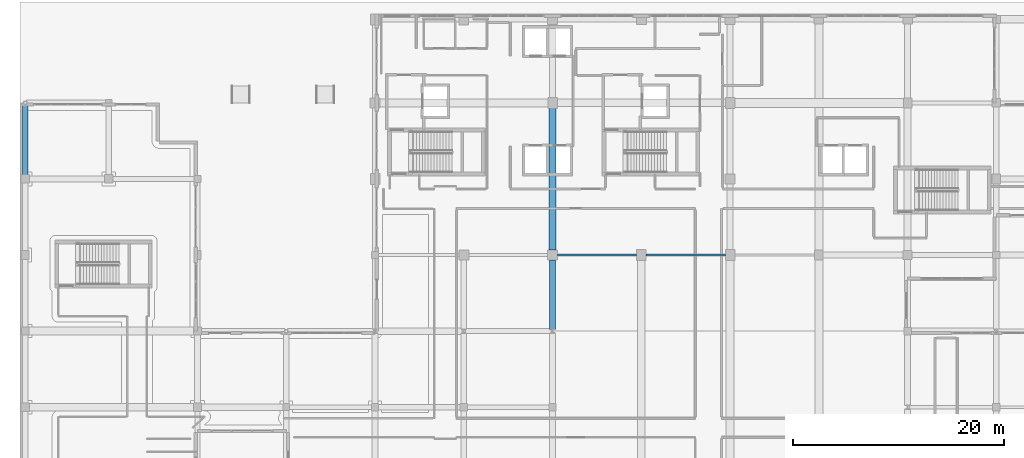
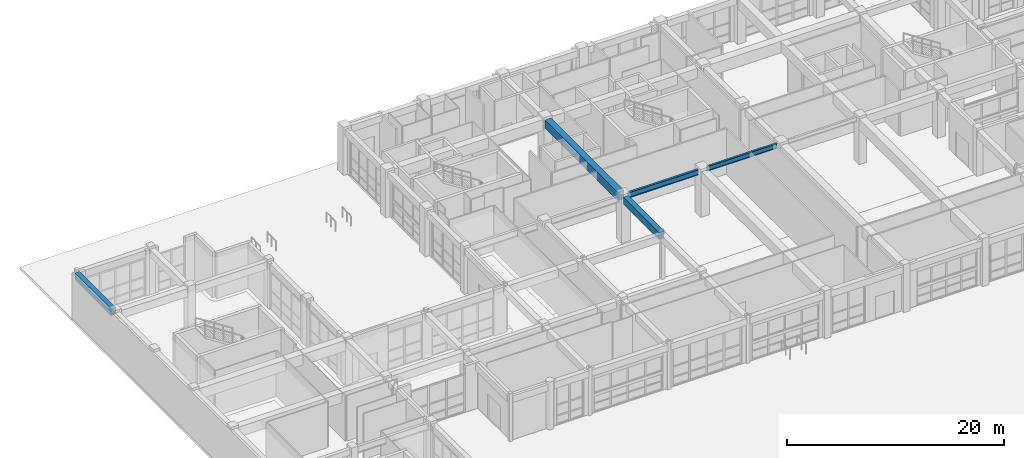
# One storey, part 54 of 148: 5 beams.
"""IFC4 building model written with IfcOpenShell, lengths in metres."""

from ifc_helpers import new_model, si_unit, direction, frame, origin, origin_2d, place, context, subcontext, project, spatial, rectangle, i_section, extrude, material, material_profile, profile_set, type_object, element, save


model = new_model("IFC4")

# Units and contexts
model_context = context("Model", 3, precision=1e-05, world=origin(), true_north=direction((0.0, 1.0)))
body_context = subcontext(model_context, "Body", "Model", "MODEL_VIEW")
ifc_project = project(units=[si_unit("LENGTHUNIT", "METRE"), si_unit("AREAUNIT", "SQUARE_METRE"), si_unit("VOLUMEUNIT", "CUBIC_METRE"), si_unit("PLANEANGLEUNIT", "RADIAN"), si_unit("MASSUNIT", "GRAM", prefix="KILO")], contexts=[model_context])

# Site, building, storey
site_placement = place(None, origin())
site = spatial("IfcSite", under=ifc_project, at=site_placement, CompositionType="ELEMENT")
building_placement = place(site_placement, origin())
building = spatial("IfcBuilding", under=site, at=building_placement, Name="Quendrovan Civic Courthouse", CompositionType="ELEMENT")
storey_placement = place(building_placement, origin())
storey = spatial("IfcBuildingStorey", under=building, at=storey_placement, Name="L01", CompositionType="ELEMENT", Elevation=0.0)

# Beams
ifc_material_1 = material(Name="Post-tensioned concrete C50/60", Category="concrete")
ifc_material_profile_1 = material_profile(ifc_material_1, rectangle(XDim=0.64990234375, YDim=0.949951171875, at=origin_2d()), Name="PT-GIRD-650x950")
ifc_profile_set_1 = profile_set([ifc_material_profile_1], Name="Post-tensioned concrete C50/60")
beam_type_1 = type_object("IfcBeamType", Name="BM-PT950", PredefinedType="BEAM", material=ifc_profile_set_1)
beam_1_placement = place(storey_placement, frame((50.39990234375, 88.054931640625, 4.64501953125), z_axis=(0.0, 1.0, 0.0), x_axis=(-1.0, 0.0, 0.0)))
element("IfcBeam", 1, at=beam_1_placement, inside=storey, type_object=beam_type_1, Name="L01 Girder Y0420", PredefinedType="BEAM", context=body_context, shape_type="SweptSolid", body=[
    extrude(rectangle(XDim=0.64990234375, YDim=0.949951171875, at=origin_2d()), origin(), (0.0, 0.0, 1.0), 13.440185546875),
])
ifc_material_2 = material(Name="Concrete C40/50", Category="concrete")
ifc_material_profile_2 = material_profile(ifc_material_2, rectangle(XDim=0.5, YDim=0.75, at=origin_2d()), Name="RC-BM-500x750")
ifc_profile_set_2 = profile_set([ifc_material_profile_2], Name="Concrete C40/50")
beam_type_2 = type_object("IfcBeamType", Name="BM-RC750", PredefinedType="SPANDREL", material=ifc_profile_set_2)
beam_2_placement = place(storey_placement, frame((0.5, 95.179931640625, 4.7451171875), z_axis=(0.0, 1.0, 0.0), x_axis=(-1.0, 0.0, 0.0)))
element("IfcBeam", 2, at=beam_2_placement, inside=storey, type_object=beam_type_2, Name="L01 Girder Y0382", PredefinedType="SPANDREL", context=body_context, shape_type="SweptSolid", body=[
    extrude(rectangle(XDim=0.5, YDim=0.75, at=origin_2d()), origin(), (0.0, 0.0, 1.0), 6.690185546875),
])
ifc_material_profile_3 = material_profile(ifc_material_2, rectangle(XDim=0.550048828125, YDim=0.800048828125, at=origin_2d()), Name="RC-BM-550x800")
ifc_profile_set_3 = profile_set([ifc_material_profile_3], Name="Concrete C40/50")
beam_type_3 = type_object("IfcBeamType", Name="BM-RC800", PredefinedType="BEAM", material=ifc_profile_set_3)
beam_3_placement = place(storey_placement, frame((50.39990234375, 80.56591796875, 4.719970703125), z_axis=(0.0, 1.0, 0.0), x_axis=(-1.0, 0.0, 0.0)))
element("IfcBeam", 3, at=beam_3_placement, inside=storey, type_object=beam_type_3, Name="L01 Girder Y0419", PredefinedType="BEAM", context=body_context, shape_type="SweptSolid", body=[
    extrude(rectangle(XDim=0.550048828125, YDim=0.800048828125, at=origin_2d()), origin(), (0.0, 0.0, 1.0), 6.5791015625),
])
ifc_material_3 = material(Name="Steel ASTM A992 Grade 50", Category="steel")
ifc_material_profile_4 = material_profile(ifc_material_3, i_section(OverallWidth=0.208984375, OverallDepth=0.532958984375, WebThickness=0.01025390625, FlangeThickness=0.015625, at=origin_2d()), Name="W21X62")
ifc_profile_set_4 = profile_set([ifc_material_profile_4], Name="Steel ASTM A992 Grade 50")
beam_type_4 = type_object("IfcBeamType", Name="BM-STL-W21", PredefinedType="JOIST", material=ifc_profile_set_4)
beam_4_placement = place(storey_placement, frame((59.22998046875, 87.60009765625, 4.853515625), z_axis=(1.0, 0.0, 0.0), x_axis=(0.0, 1.0, 0.0)))
element("IfcBeam", 4, at=beam_4_placement, inside=storey, type_object=beam_type_4, Name="L01 Girder X0319", PredefinedType="JOIST", context=body_context, shape_type="SweptSolid", body=[
    extrude(i_section(OverallWidth=0.208984375, OverallDepth=0.532958984375, WebThickness=0.01025390625, FlangeThickness=0.015625, at=origin_2d()), origin(), (0.0, 0.0, 1.0), 7.5400390625),
])
ifc_material_profile_5 = material_profile(ifc_material_3, i_section(OverallWidth=0.22802734375, OverallDepth=0.60693359375, WebThickness=0.01123046875, FlangeThickness=0.017333984375, at=origin_2d()), Name="W24X76")
ifc_profile_set_5 = profile_set([ifc_material_profile_5], Name="Steel ASTM A992 Grade 50")
beam_type_5 = type_object("IfcBeamType", Name="BM-STL-W24", PredefinedType="BEAM", material=ifc_profile_set_5)
beam_5_placement = place(storey_placement, frame((50.85498046875, 87.60009765625, 4.81640625), z_axis=(1.0, 0.0, 0.0), x_axis=(0.0, 1.0, 0.0)))
element("IfcBeam", 5, at=beam_5_placement, inside=storey, type_object=beam_type_5, Name="L01 Girder X0318", PredefinedType="BEAM", context=body_context, shape_type="SweptSolid", body=[
    extrude(i_section(OverallWidth=0.22802734375, OverallDepth=0.60693359375, WebThickness=0.01123046875, FlangeThickness=0.017333984375, at=origin_2d()), origin(), (0.0, 0.0, 1.0), 7.51513671875),
])

save(model, "model.ifc")
